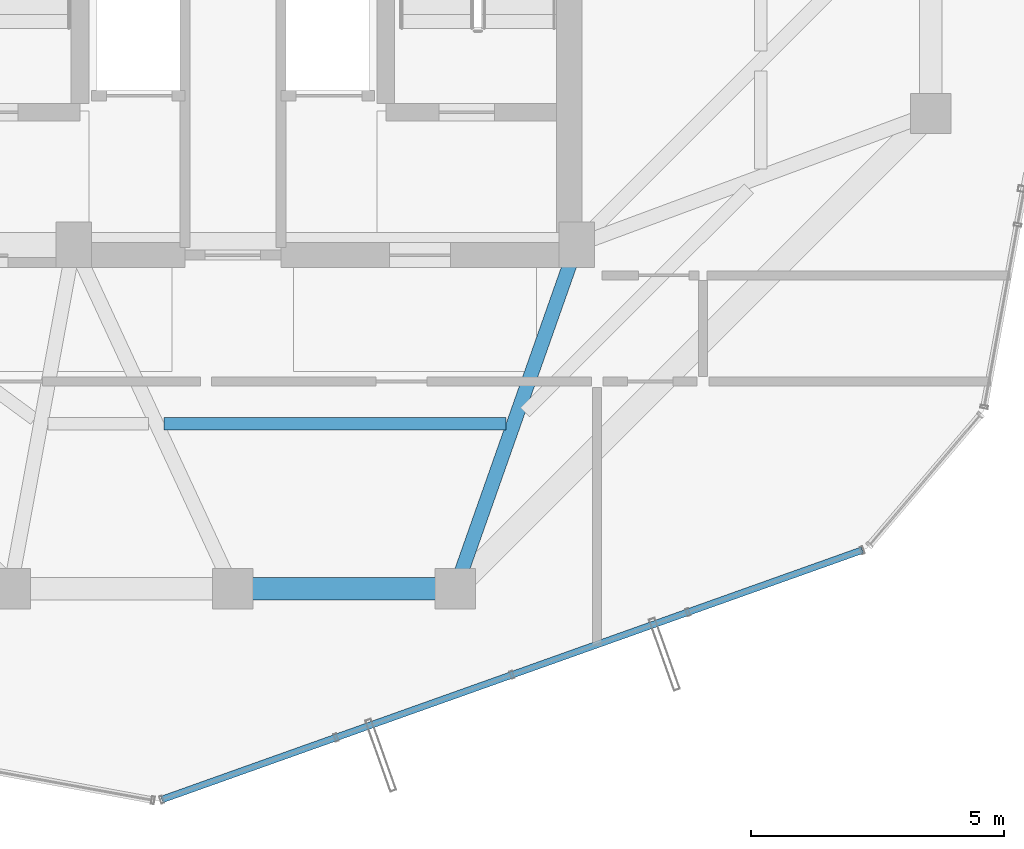
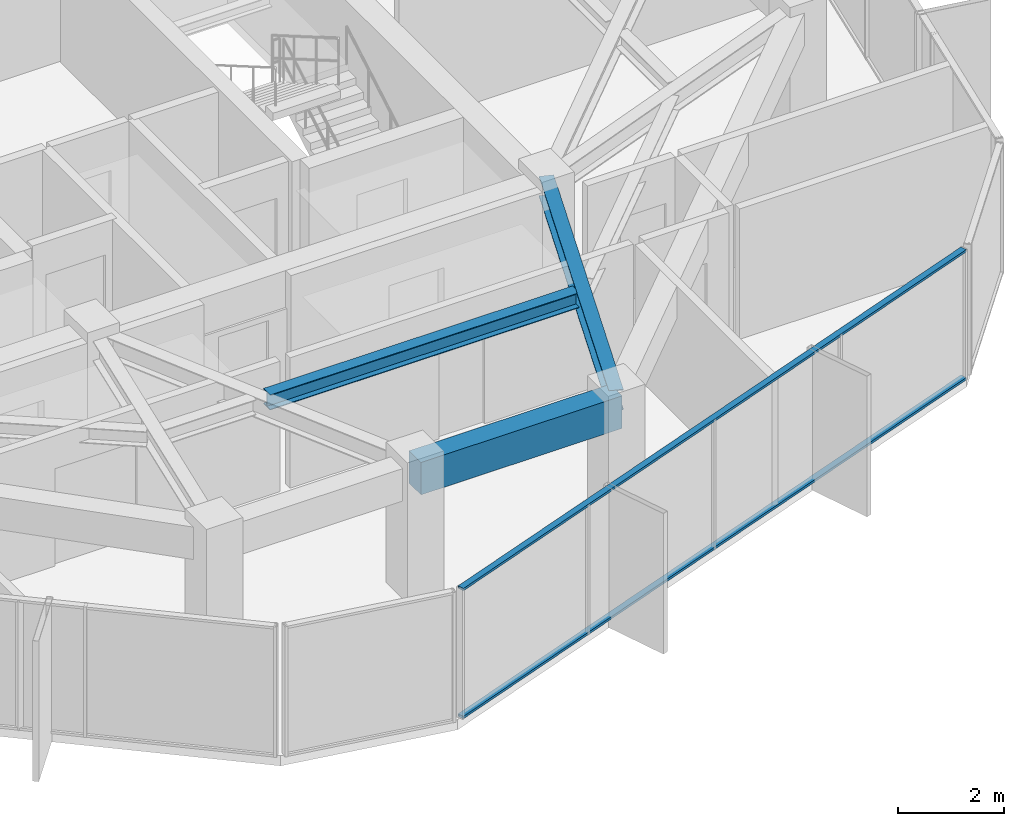
# One storey, part 9 of 29: 3 beams, 2 members, 1 element without a shape of its own.
"""IFC4 building model written with IfcOpenShell, lengths in metres."""

from ifc_helpers import new_model, si_unit, direction, frame, origin, origin_2d, place, context, subcontext, project, spatial, rectangle, hollow_rectangle, i_section, extrude, source, transform, mapped, material, layer, layer_set, material_profile, profile_set, type_object, element, aggregate, save


model = new_model("IFC4")

# Units and contexts
model_context = context("Model", 3, precision=1e-05, world=origin(), true_north=direction((0.0, 1.0)))
body_context = subcontext(model_context, "Body", "Model", "MODEL_VIEW")
ifc_project = project(units=[si_unit("LENGTHUNIT", "METRE"), si_unit("AREAUNIT", "SQUARE_METRE"), si_unit("VOLUMEUNIT", "CUBIC_METRE"), si_unit("PLANEANGLEUNIT", "RADIAN"), si_unit("MASSUNIT", "GRAM", prefix="KILO")], contexts=[model_context])

# Site, building, storey
site_placement = place(None, origin())
site = spatial("IfcSite", under=ifc_project, at=site_placement, CompositionType="ELEMENT")
building_placement = place(site_placement, origin())
building = spatial("IfcBuilding", under=site, at=building_placement, Name="Veraguas Prism Commons", CompositionType="ELEMENT")
storey_placement = place(building_placement, frame((0.0, 0.0, 244.75)))
storey = spatial("IfcBuildingStorey", under=building, at=storey_placement, Name="L69", CompositionType="ELEMENT", Elevation=244.75)

# Beams
ifc_material_1 = material(Name="Concrete C50/60", Category="concrete")
ifc_material_profile_1 = material_profile(ifc_material_1, rectangle(XDim=0.449951171875, YDim=0.75, at=origin_2d()), Name="RC450X750")
ifc_profile_set_1 = profile_set([ifc_material_profile_1], Name="Concrete C50/60")
beam_type_1 = type_object("IfcBeamType", Name="Perimeter Spandrel Upper RC 450x750", PredefinedType="SPANDREL", material=ifc_profile_set_1)
beam_1_placement = place(storey_placement, frame((24.0, 10.199951171875, 2.639892578125), z_axis=(1.0, 0.0, 0.0), x_axis=(0.0, 1.0, 0.0)))
element("IfcBeam", 1, at=beam_1_placement, inside=storey, type_object=beam_type_1, Name="Perimeter Spandrel Beam L69-SP11", PredefinedType="SPANDREL", context=body_context, shape_type="SweptSolid", body=[
    extrude(rectangle(XDim=0.449951171875, YDim=0.75, at=origin_2d()), origin(), (0.0, 0.0, 1.0), 4.39990234375),
])
ifc_material_2 = material(Name="Steel ASTM A992 Grade 50", Category="steel")
ifc_material_profile_2 = material_profile(ifc_material_2, i_section(OverallWidth=0.25390625, OverallDepth=0.35302734375, WebThickness=0.009521484375, FlangeThickness=0.016357421875, at=origin_2d()), Name="W360X91")
ifc_profile_set_2 = profile_set([ifc_material_profile_2], Name="Steel ASTM A992 Grade 50")
beam_type_2 = type_object("IfcBeamType", Name="Upper Floor Joist W360x91", PredefinedType="JOIST", material=ifc_profile_set_2)
beam_2_placement = place(storey_placement, frame((22.6416015625, 13.464111328125, 2.83837890625), z_axis=(1.0, 0.0, 0.0), x_axis=(0.0, 1.0, 0.0)))
element("IfcBeam", 2, at=beam_2_placement, inside=storey, type_object=beam_type_2, Name="Composite Floor Joist L69-JS11", PredefinedType="JOIST", context=body_context, shape_type="SweptSolid", body=[
    extrude(i_section(OverallWidth=0.25390625, OverallDepth=0.35302734375, WebThickness=0.009521484375, FlangeThickness=0.016357421875, at=origin_2d()), origin(), (0.0, 0.0, 1.0), 6.762451171875),
])
ifc_material_profile_3 = material_profile(ifc_material_2, i_section(OverallWidth=0.282958984375, OverallDepth=0.471923828125, WebThickness=0.013671875, FlangeThickness=0.022216796875, at=origin_2d()), Name="W460X144")
ifc_profile_set_3 = profile_set([ifc_material_profile_3], Name="Steel ASTM A992 Grade 50")
beam_type_3 = type_object("IfcBeamType", Name="Zone 4 Radial Girder W460x144", PredefinedType="BEAM", material=ifc_profile_set_3)
beam_3_placement = place(storey_placement, frame((28.39990234375, 10.199951171875, 2.779052734375), z_axis=(0.332836055941, 0.942984708182, 0.0), x_axis=(-0.942984708182, 0.332836055941, 0.0)))
element("IfcBeam", 3, at=beam_3_placement, inside=storey, type_object=beam_type_3, Name="Radial Floor Girder L69-RD12", PredefinedType="BEAM", context=body_context, shape_type="SweptSolid", body=[
    extrude(i_section(OverallWidth=0.282958984375, OverallDepth=0.471923828125, WebThickness=0.013671875, FlangeThickness=0.022216796875, at=origin_2d()), origin(), (0.0, 0.0, 1.0), 7.211181640625),
])

# Curtain wall, members
ifc_material_3 = material(Name="Anodised aluminium EN AW-6063 T6", Category="aluminium")
ifc_layer = layer(ifc_material_3, 0.14990234375, Name="Unitised Flush Curtain Wall Zone 4", Category="aluminium")
ifc_layer_set = layer_set([ifc_layer], Name="Anodised aluminium EN AW-6063 T6")
curtain_wall_type = type_object("IfcCurtainWallType", Name="Unitised Flush Curtain Wall Zone 4", PredefinedType="NOTDEFINED", material=ifc_layer_set)
curtain_wall_placement = place(storey_placement, origin())
curtain_wall = element("IfcCurtainWall", 4, at=curtain_wall_placement, inside=storey, type_object=curtain_wall_type, Name="Tower Facade Curtain Wall L69-F5", PredefinedType="NOTDEFINED")
ifc_material_profile_4 = material_profile(ifc_material_3, hollow_rectangle(XDim=0.054931640625, YDim=0.135009765625, WallThickness=0.0029296875, at=origin_2d()), Name="AL55X135X3")
ifc_profile_set_4 = profile_set([ifc_material_profile_4], Name="Anodised aluminium EN AW-6063 T6")
member_type = type_object("IfcMemberType", Name="Curtain Wall Transom Standard AL 55x135x3", PredefinedType="USERDEFINED", material=ifc_profile_set_4)
shared_shape = source(origin(), body_context, "Body", "SweptSolid", [
    extrude(hollow_rectangle(XDim=0.054931640625, YDim=0.135009765625, WallThickness=0.0029296875, at=origin_2d()), origin(), (0.0, 0.0, 1.0), 14.706298828125),
])
member_1_placement = place(storey_placement, frame((22.592529296875, 6.0322265625, 0.027587890625), z_axis=(0.942055867222, 0.335456022502, 0.0), x_axis=(0.0, 0.0, 1.0)))
member_1 = element("IfcMember", 5, at=member_1_placement, type_object=member_type, Name="CW-Z4 Transom 1", ObjectType="TRANSOM", PredefinedType="USERDEFINED", context=body_context, shape_type="MappedRepresentation", body=[
    mapped(shared_shape, transform((0.0, 0.0, 0.0), scale=1.0)),
])
member_2_placement = place(storey_placement, frame((22.592529296875, 6.0322265625, 2.987548828125), z_axis=(0.942055867222, 0.335456022502, 0.0), x_axis=(0.0, 0.0, 1.0)))
member_2 = element("IfcMember", 6, at=member_2_placement, type_object=member_type, Name="CW-Z4 Transom 2", ObjectType="TRANSOM", PredefinedType="USERDEFINED", context=body_context, shape_type="MappedRepresentation", body=[
    mapped(shared_shape, transform((0.0, 0.0, 0.0), scale=1.0)),
])
aggregate(curtain_wall, [member_1, member_2])

save(model, "model.ifc")
